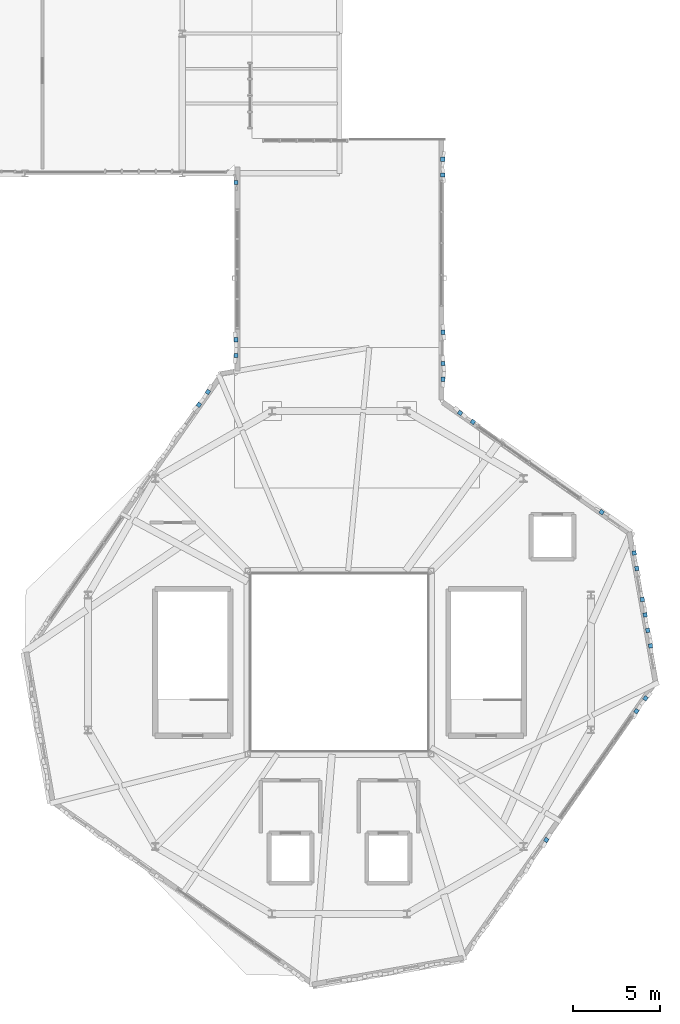
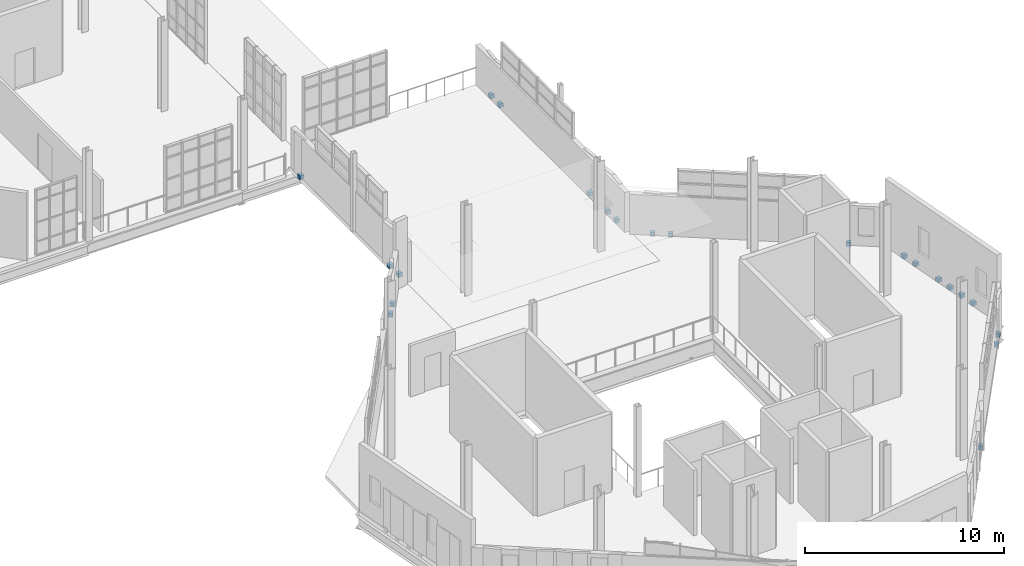
# One storey, part 34 of 36: 22 discrete accessories.
"""IFC4 building model written with IfcOpenShell, lengths in metres."""

import ifcopenshell
import ifcopenshell.guid

model = None  # the IFC model being written
_history = None  # IfcOwnerHistory: only IFC2X3 demands one
_inside = {}  # id of a spatial element -> (the spatial element, [elements in it])
_under = {}  # id of a project, library or spatial element -> (it, [spatial elements below it])
_declared = {}  # id of a project -> (the project, [libraries it declares])
_typed = {}  # id of a type object -> (the type object, [elements of that type])
_made_of = {}  # id of a material, layer set ... -> (it, [elements and type objects made of it])


def new_model(schema):
    """Start an empty IFC model of exactly this schema.

    Asked for "IFC4X3", IfcOpenShell would pick the latest addendum, in which some entities
    have other attributes; the version numbers below select the first issue.
    IFC2X3 requires an IfcOwnerHistory on every rooted entity: one is made here for all.
    """
    global model, _history
    if schema == "IFC4X3":
        model = ifcopenshell.file(schema_version=(4, 3, 0, 0))
    else:
        model = ifcopenshell.file(schema=schema)
    _inside.clear()
    _under.clear()
    _declared.clear()
    _typed.clear()
    _made_of.clear()
    _history = None
    if model.schema == "IFC2X3":
        org = make("IfcOrganization", Name="unknown")
        user = make(
            "IfcPersonAndOrganization",
            ThePerson=make("IfcPerson", FamilyName="unknown"),
            TheOrganization=org,
        )
        app = make(
            "IfcApplication",
            ApplicationDeveloper=org,
            Version="unknown",
            ApplicationFullName="unknown",
            ApplicationIdentifier="unknown",
        )
        _history = make(
            "IfcOwnerHistory",
            OwningUser=user,
            OwningApplication=app,
            ChangeAction="ADDED",
            CreationDate=0,
        )
    return model


def make(cls, **values):
    """One entity of the class cls with the attributes given. An attribute that is None is left unset."""
    return model.create_entity(
        cls, **{name: value for name, value in values.items() if value is not None}
    )


def rooted(cls, **values):
    """An entity with a GlobalId (a new one), such as an element, a storey or a relation."""
    return make(cls, GlobalId=ifcopenshell.guid.new(), OwnerHistory=_history, **values)


def si_unit(unit_type, name, prefix=None):
    """IfcSIUnit, for example si_unit("LENGTHUNIT", "METRE", prefix="MILLI")."""
    return make("IfcSIUnit", UnitType=unit_type, Prefix=prefix, Name=name)


def assignment(units):
    """IfcUnitAssignment: the units of a project."""
    return None if units is None else make("IfcUnitAssignment", Units=units)


def point(xyz):
    """IfcCartesianPoint."""
    return None if xyz is None else make("IfcCartesianPoint", Coordinates=xyz)


def direction(xyz):
    """IfcDirection."""
    return None if xyz is None else make("IfcDirection", DirectionRatios=xyz)


def frame(location, z_axis=None, x_axis=None):
    """IfcAxis2Placement3D, a coordinate frame: its origin and axes. An axis left out is left unset."""
    return make(
        "IfcAxis2Placement3D",
        Location=point(location),
        Axis=direction(z_axis),
        RefDirection=direction(x_axis),
    )


def origin():
    """The frame at (0, 0, 0) with its axes left unset."""
    return frame((0.0, 0.0, 0.0))


def place(relative_to, where):
    """IfcLocalPlacement: puts the frame where relative to a parent placement (None: the world)."""
    return make(
        "IfcLocalPlacement", PlacementRelTo=relative_to, RelativePlacement=where
    )


def context(
    kind, dimensions, precision=None, world=None, true_north=None, identifier=None
):
    """IfcGeometricRepresentationContext, for example the 3D "Model" context."""
    return make(
        "IfcGeometricRepresentationContext",
        ContextIdentifier=identifier,
        ContextType=kind,
        CoordinateSpaceDimension=dimensions,
        Precision=precision,
        WorldCoordinateSystem=world,
        TrueNorth=true_north,
    )


def subcontext(parent, identifier, kind, view, scale=None):
    """IfcGeometricRepresentationSubContext, for example "Body" below "Model"."""
    return make(
        "IfcGeometricRepresentationSubContext",
        ContextIdentifier=identifier,
        ContextType=kind,
        ParentContext=parent,
        TargetScale=scale,
        TargetView=view,
    )


def project(units=None, contexts=None):
    """IfcProject with its units and contexts."""
    return rooted(
        "IfcProject",
        Name="project",
        RepresentationContexts=contexts,
        UnitsInContext=assignment(units),
    )


def spatial(cls, under=None, at=None, **own):
    """A site, building, storey or space (cls), placed at a placement, below another one or the project."""
    s = rooted(cls, ObjectPlacement=at, **own)
    if under is not None:
        _under.setdefault(under.id(), (under, []))[1].append(s)
    return s


def polyline(points):
    """IfcPolyline through the points."""
    return make("IfcPolyline", Points=[point(p) for p in points])


def outline(outer, holes=None, kind="AREA"):
    """IfcArbitraryClosedProfileDef: a profile drawn as a closed curve; with holes, ...WithVoids."""
    if holes is None:
        return make("IfcArbitraryClosedProfileDef", ProfileType=kind, OuterCurve=outer)
    return make(
        "IfcArbitraryProfileDefWithVoids",
        ProfileType=kind,
        OuterCurve=outer,
        InnerCurves=holes,
    )


def extrude(swept, where, along, depth):
    """IfcExtrudedAreaSolid: the profile swept, set in the frame where, extruded along a direction by depth."""
    return make(
        "IfcExtrudedAreaSolid",
        SweptArea=swept,
        Position=where,
        ExtrudedDirection=direction(along),
        Depth=depth,
    )


def shape(context_of_items, identifier, shape_type, items):
    """IfcShapeRepresentation: the items that make up one representation, for example the "Body"."""
    return make(
        "IfcShapeRepresentation",
        ContextOfItems=context_of_items,
        RepresentationIdentifier=identifier,
        RepresentationType=shape_type,
        Items=items,
    )


def material(Name=None, Category=None):
    """IfcMaterial."""
    return make("IfcMaterial", Name=Name, Category=Category)


def made_of(thing, what):
    """Note that an element or type object is made of a material, layer set ...; save() writes the relation."""
    if what is not None:
        _made_of.setdefault(what.id(), (what, []))[1].append(thing)
    return thing


def type_object(cls, material=None, **own):
    """A type object (cls), such as IfcWallType, which elements share."""
    return made_of(rooted(cls, **own), material)


def element(
    cls,
    number,
    at=None,
    inside=None,
    cuts=None,
    type_object=None,
    material=None,
    context=None,
    identifier="Body",
    shape_type=None,
    held_by="IfcProductDefinitionShape",
    body=None,
    shapes=None,
    **own,
):
    """One element of the class cls, such as IfcWall. Its Tag is "e" and its number.

    at: its placement. inside: the storey or other place that contains it. cuts: it is an
    opening in that element (IfcRelVoidsElement). A single representation is given by context,
    identifier, shape_type and body (its items); several are given by shapes. held_by: the class
    of the entity that holds the representations. save() writes the other relations.
    """
    e = rooted(cls, Tag="e%d" % number, ObjectPlacement=at, **own)
    if body is not None:
        shapes = [shape(context, identifier, shape_type, body)]
    if shapes is not None:
        e.Representation = make(held_by, Representations=shapes)
    if inside is not None:
        _inside.setdefault(inside.id(), (inside, []))[1].append(e)
    if cuts is not None:
        rooted(
            "IfcRelVoidsElement", RelatingBuildingElement=cuts, RelatedOpeningElement=e
        )
    if type_object is not None:
        _typed.setdefault(type_object.id(), (type_object, []))[1].append(e)
    return made_of(e, material)


def aggregate(whole, parts):
    """IfcRelAggregates: a whole, such as a stair, and the parts it consists of."""
    return rooted("IfcRelAggregates", RelatingObject=whole, RelatedObjects=parts)


def save(model, path):
    """Write the relations noted so far, then the file.

    IfcRelAggregates (storeys below a building ...), IfcRelContainedInSpatialStructure (elements
    in a storey), IfcRelDefinesByType, IfcRelAssociatesMaterial and IfcRelDeclares: one each for
    every whole, place, type object, material and project.
    """
    for whole, parts in _under.values():
        aggregate(whole, parts)
    for where, things in _inside.values():
        rooted(
            "IfcRelContainedInSpatialStructure",
            RelatedElements=things,
            RelatingStructure=where,
        )
    for kind, things in _typed.values():
        rooted("IfcRelDefinesByType", RelatedObjects=things, RelatingType=kind)
    for what, things in _made_of.values():
        rooted("IfcRelAssociatesMaterial", RelatedObjects=things, RelatingMaterial=what)
    for by, libraries in _declared.values():
        rooted("IfcRelDeclares", RelatingContext=by, RelatedDefinitions=libraries)
    model.write(path)


model = new_model("IFC4")

# Units and contexts
model_context = context("Model", 3, precision=1e-05, world=origin(), true_north=direction((0.0, 1.0)))
body_context = subcontext(model_context, "Body", "Model", "MODEL_VIEW")
ifc_project = project(units=[si_unit("LENGTHUNIT", "METRE"), si_unit("AREAUNIT", "SQUARE_METRE"), si_unit("VOLUMEUNIT", "CUBIC_METRE"), si_unit("PLANEANGLEUNIT", "RADIAN"), si_unit("MASSUNIT", "GRAM", prefix="KILO"), si_unit("THERMODYNAMICTEMPERATUREUNIT", "KELVIN"), si_unit("POWERUNIT", "WATT")], contexts=[model_context])

# Site, building, storey
site_placement = place(None, origin())
site = spatial("IfcSite", under=ifc_project, at=site_placement, CompositionType="ELEMENT")
building_placement = place(site_placement, origin())
building = spatial("IfcBuilding", under=site, at=building_placement, Name="Zelmaris Science Centre", CompositionType="ELEMENT")
storey_placement = place(building_placement, frame((0.0, 0.0, 25.199951171875)))
storey = spatial("IfcBuildingStorey", under=building, at=storey_placement, Name="L05", CompositionType="ELEMENT", Elevation=25.199951171875)

# Discrete accessories
ifc_material = material(Name="Galvanised steel ASTM A500 Grade B", Category="steel")
discrete_accessory_type = type_object("IfcDiscreteAccessoryType", Name="Facade Bracket BK-01", PredefinedType="BRACKET", material=ifc_material)
discrete_accessory_1_placement = place(storey_placement, frame((0.0, 0.0, -0.139892578125)))
element("IfcDiscreteAccessory", 1, at=discrete_accessory_1_placement, inside=storey, type_object=discrete_accessory_type, Name="L05 Facade anchorage bracket 222", PredefinedType="BRACKET", context=body_context, shape_type="SweptSolid", body=[
    extrude(outline(polyline([(86.80029296875, 64.931396484375), (86.800537109375, 64.69140625), (87.031982421875, 64.69140625), (87.031982421875, 64.931396484375), (86.80029296875, 64.931396484375)])), origin(), (0.0, 0.0, 1.0), 0.239990234375),
])
discrete_accessory_2_placement = place(storey_placement, frame((0.0, 0.0, -0.139892578125)))
element("IfcDiscreteAccessory", 2, at=discrete_accessory_2_placement, inside=storey, type_object=discrete_accessory_type, Name="L05 Facade anchorage bracket 223", PredefinedType="BRACKET", context=body_context, shape_type="SweptSolid", body=[
    extrude(outline(polyline([(86.80078125, 64.03125), (86.80078125, 63.791259765625), (87.032470703125, 63.79150390625), (87.032470703125, 64.031494140625), (86.80078125, 64.03125)])), origin(), (0.0, 0.0, 1.0), 0.239990234375),
])
discrete_accessory_3_placement = place(storey_placement, frame((0.0, 0.0, -0.139892578125)))
element("IfcDiscreteAccessory", 3, at=discrete_accessory_3_placement, inside=storey, type_object=discrete_accessory_type, Name="L05 Facade anchorage bracket 224", PredefinedType="BRACKET", context=body_context, shape_type="SweptSolid", body=[
    extrude(outline(polyline([(86.804931640625, 55.03125), (86.804931640625, 54.791259765625), (87.03662109375, 54.79150390625), (87.03662109375, 55.031494140625), (86.804931640625, 55.03125)])), origin(), (0.0, 0.0, 1.0), 0.239990234375),
])
discrete_accessory_4_placement = place(storey_placement, frame((0.0, 0.0, -0.139892578125)))
element("IfcDiscreteAccessory", 4, at=discrete_accessory_4_placement, inside=storey, type_object=discrete_accessory_type, Name="L05 Facade anchorage bracket 225", PredefinedType="BRACKET", context=body_context, shape_type="SweptSolid", body=[
    extrude(outline(polyline([(86.8056640625, 53.231201171875), (86.805908203125, 52.9912109375), (87.037353515625, 52.991455078125), (87.037353515625, 53.2314453125), (86.8056640625, 53.231201171875)])), origin(), (0.0, 0.0, 1.0), 0.239990234375),
])
discrete_accessory_5_placement = place(storey_placement, frame((0.0, 0.0, -0.139892578125)))
element("IfcDiscreteAccessory", 5, at=discrete_accessory_5_placement, inside=storey, type_object=discrete_accessory_type, Name="L05 Facade anchorage bracket 226", PredefinedType="BRACKET", context=body_context, shape_type="SweptSolid", body=[
    extrude(outline(polyline([(86.80615234375, 52.331298828125), (86.806396484375, 52.09130859375), (87.037841796875, 52.09130859375), (87.03759765625, 52.331298828125), (86.80615234375, 52.331298828125)])), origin(), (0.0, 0.0, 1.0), 0.239990234375),
])
discrete_accessory_6_placement = place(storey_placement, frame((0.0, 0.0, -0.139892578125)))
element("IfcDiscreteAccessory", 6, at=discrete_accessory_6_placement, inside=storey, type_object=discrete_accessory_type, Name="L05 Facade anchorage bracket 227", PredefinedType="BRACKET", context=body_context, shape_type="SweptSolid", body=[
    extrude(outline(polyline([(87.73974609375, 50.2646484375), (87.936279296875, 50.126708984375), (88.0693359375, 50.31640625), (87.872802734375, 50.454345703125), (87.73974609375, 50.2646484375)])), origin(), (0.0, 0.0, 1.0), 0.239990234375),
])
discrete_accessory_7_placement = place(storey_placement, frame((0.0, 0.0, -0.139892578125)))
element("IfcDiscreteAccessory", 7, at=discrete_accessory_7_placement, inside=storey, type_object=discrete_accessory_type, Name="L05 Facade anchorage bracket 228", PredefinedType="BRACKET", context=body_context, shape_type="SweptSolid", body=[
    extrude(outline(polyline([(88.476806640625, 49.748046875), (88.67333984375, 49.610107421875), (88.80615234375, 49.7998046875), (88.609619140625, 49.937744140625), (88.476806640625, 49.748046875)])), origin(), (0.0, 0.0, 1.0), 0.239990234375),
])
discrete_accessory_8_placement = place(storey_placement, frame((0.0, 0.0, -0.139892578125)))
element("IfcDiscreteAccessory", 8, at=discrete_accessory_8_placement, inside=storey, type_object=discrete_accessory_type, Name="L05 Facade anchorage bracket 229", PredefinedType="BRACKET", context=body_context, shape_type="SweptSolid", body=[
    extrude(outline(polyline([(95.846435546875, 44.58203125), (96.04296875, 44.444091796875), (96.17578125, 44.6337890625), (95.9794921875, 44.771484375), (95.846435546875, 44.58203125)])), origin(), (0.0, 0.0, 1.0), 0.239990234375),
])
discrete_accessory_9_placement = place(storey_placement, frame((0.0, 0.0, -0.139892578125)))
element("IfcDiscreteAccessory", 9, at=discrete_accessory_9_placement, inside=storey, type_object=discrete_accessory_type, Name="L05 Facade anchorage bracket 230", PredefinedType="BRACKET", context=body_context, shape_type="SweptSolid", body=[
    extrude(outline(polyline([(97.739013671875, 42.365234375), (97.78076171875, 42.12890625), (98.0087890625, 42.169189453125), (97.96728515625, 42.405517578125), (97.739013671875, 42.365234375)])), origin(), (0.0, 0.0, 1.0), 0.239990234375),
])
discrete_accessory_10_placement = place(storey_placement, frame((0.0, 0.0, -0.139892578125)))
element("IfcDiscreteAccessory", 10, at=discrete_accessory_10_placement, inside=storey, type_object=discrete_accessory_type, Name="L05 Facade anchorage bracket 231", PredefinedType="BRACKET", context=body_context, shape_type="SweptSolid", body=[
    extrude(outline(polyline([(97.8955078125, 41.47900390625), (97.93701171875, 41.24267578125), (98.165283203125, 41.28271484375), (98.12353515625, 41.51904296875), (97.8955078125, 41.47900390625)])), origin(), (0.0, 0.0, 1.0), 0.239990234375),
])
discrete_accessory_11_placement = place(storey_placement, frame((0.0, 0.0, -0.139892578125)))
element("IfcDiscreteAccessory", 11, at=discrete_accessory_11_placement, inside=storey, type_object=discrete_accessory_type, Name="L05 Facade anchorage bracket 232", PredefinedType="BRACKET", context=body_context, shape_type="SweptSolid", body=[
    extrude(outline(polyline([(98.2080078125, 39.706298828125), (98.249755859375, 39.469970703125), (98.477783203125, 39.510009765625), (98.43603515625, 39.74658203125), (98.2080078125, 39.706298828125)])), origin(), (0.0, 0.0, 1.0), 0.239990234375),
])
discrete_accessory_12_placement = place(storey_placement, frame((0.0, 0.0, -0.139892578125)))
element("IfcDiscreteAccessory", 12, at=discrete_accessory_12_placement, inside=storey, type_object=discrete_accessory_type, Name="L05 Facade anchorage bracket 233", PredefinedType="BRACKET", context=body_context, shape_type="SweptSolid", body=[
    extrude(outline(polyline([(98.3642578125, 38.81982421875), (98.406005859375, 38.58349609375), (98.634033203125, 38.623779296875), (98.59228515625, 38.860107421875), (98.3642578125, 38.81982421875)])), origin(), (0.0, 0.0, 1.0), 0.239990234375),
])
discrete_accessory_13_placement = place(storey_placement, frame((0.0, 0.0, -0.139892578125)))
element("IfcDiscreteAccessory", 13, at=discrete_accessory_13_placement, inside=storey, type_object=discrete_accessory_type, Name="L05 Facade anchorage bracket 234", PredefinedType="BRACKET", context=body_context, shape_type="SweptSolid", body=[
    extrude(outline(polyline([(98.5205078125, 37.93359375), (98.562255859375, 37.697265625), (98.790283203125, 37.737548828125), (98.74853515625, 37.973876953125), (98.5205078125, 37.93359375)])), origin(), (0.0, 0.0, 1.0), 0.239990234375),
])
discrete_accessory_14_placement = place(storey_placement, frame((0.0, 0.0, -0.139892578125)))
element("IfcDiscreteAccessory", 14, at=discrete_accessory_14_placement, inside=storey, type_object=discrete_accessory_type, Name="L05 Facade anchorage bracket 235", PredefinedType="BRACKET", context=body_context, shape_type="SweptSolid", body=[
    extrude(outline(polyline([(98.6767578125, 37.04736328125), (98.718505859375, 36.810791015625), (98.946533203125, 36.851318359375), (98.90478515625, 37.08740234375), (98.6767578125, 37.04736328125)])), origin(), (0.0, 0.0, 1.0), 0.239990234375),
])
discrete_accessory_15_placement = place(storey_placement, frame((0.0, 0.0, -0.139892578125)))
element("IfcDiscreteAccessory", 15, at=discrete_accessory_15_placement, inside=storey, type_object=discrete_accessory_type, Name="L05 Facade anchorage bracket 236", PredefinedType="BRACKET", context=body_context, shape_type="SweptSolid", body=[
    extrude(outline(polyline([(98.49609375, 34.11279296875), (98.358642578125, 33.916259765625), (98.54833984375, 33.783203125), (98.68603515625, 33.97998046875), (98.49609375, 34.11279296875)])), origin(), (0.0, 0.0, 1.0), 0.239990234375),
])
discrete_accessory_16_placement = place(storey_placement, frame((0.0, 0.0, -0.139892578125)))
element("IfcDiscreteAccessory", 16, at=discrete_accessory_16_placement, inside=storey, type_object=discrete_accessory_type, Name="L05 Facade anchorage bracket 237", PredefinedType="BRACKET", context=body_context, shape_type="SweptSolid", body=[
    extrude(outline(polyline([(97.97998046875, 33.37548828125), (97.84228515625, 33.178955078125), (98.031982421875, 33.046142578125), (98.169677734375, 33.24267578125), (97.97998046875, 33.37548828125)])), origin(), (0.0, 0.0, 1.0), 0.239990234375),
])
discrete_accessory_17_placement = place(storey_placement, frame((0.0, 0.0, -0.139892578125)))
element("IfcDiscreteAccessory", 17, at=discrete_accessory_17_placement, inside=storey, type_object=discrete_accessory_type, Name="L05 Facade anchorage bracket 238", PredefinedType="BRACKET", context=body_context, shape_type="SweptSolid", body=[
    extrude(outline(polyline([(92.81787109375, 26.003173828125), (92.68017578125, 25.806640625), (92.869873046875, 25.673583984375), (93.007568359375, 25.870361328125), (92.81787109375, 26.003173828125)])), origin(), (0.0, 0.0, 1.0), 0.239990234375),
])
discrete_accessory_18_placement = place(storey_placement, frame((0.0, 0.0, -0.139892578125)))
element("IfcDiscreteAccessory", 18, at=discrete_accessory_18_placement, inside=storey, type_object=discrete_accessory_type, Name="L05 Facade anchorage bracket 272", PredefinedType="BRACKET", context=body_context, shape_type="SweptSolid", body=[
    extrude(outline(polyline([(72.980712890625, 50.586181640625), (73.118408203125, 50.782958984375), (72.9287109375, 50.915771484375), (72.791015625, 50.71923828125), (72.980712890625, 50.586181640625)])), origin(), (0.0, 0.0, 1.0), 0.239990234375),
])
discrete_accessory_19_placement = place(storey_placement, frame((0.0, 0.0, -0.139892578125)))
element("IfcDiscreteAccessory", 19, at=discrete_accessory_19_placement, inside=storey, type_object=discrete_accessory_type, Name="L05 Facade anchorage bracket 273", PredefinedType="BRACKET", context=body_context, shape_type="SweptSolid", body=[
    extrude(outline(polyline([(73.496826171875, 51.323486328125), (73.634521484375, 51.520263671875), (73.44482421875, 51.653076171875), (73.30712890625, 51.456298828125), (73.496826171875, 51.323486328125)])), origin(), (0.0, 0.0, 1.0), 0.239990234375),
])
discrete_accessory_20_placement = place(storey_placement, frame((0.0, 0.0, -0.139892578125)))
element("IfcDiscreteAccessory", 20, at=discrete_accessory_20_placement, inside=storey, type_object=discrete_accessory_type, Name="L05 Facade anchorage bracket 274", PredefinedType="BRACKET", context=body_context, shape_type="SweptSolid", body=[
    extrude(outline(polyline([(75.195556640625, 53.455322265625), (75.19580078125, 53.6953125), (74.964111328125, 53.6953125), (74.964111328125, 53.455322265625), (75.195556640625, 53.455322265625)])), origin(), (0.0, 0.0, 1.0), 0.239990234375),
])
discrete_accessory_21_placement = place(storey_placement, frame((0.0, 0.0, -0.139892578125)))
element("IfcDiscreteAccessory", 21, at=discrete_accessory_21_placement, inside=storey, type_object=discrete_accessory_type, Name="L05 Facade anchorage bracket 275", PredefinedType="BRACKET", context=body_context, shape_type="SweptSolid", body=[
    extrude(outline(polyline([(75.19580078125, 54.355224609375), (75.196044921875, 54.59521484375), (74.96435546875, 54.595458984375), (74.96435546875, 54.35546875), (75.19580078125, 54.355224609375)])), origin(), (0.0, 0.0, 1.0), 0.239990234375),
])
discrete_accessory_22_placement = place(storey_placement, frame((0.0, 0.0, -0.139892578125)))
element("IfcDiscreteAccessory", 22, at=discrete_accessory_22_placement, inside=storey, type_object=discrete_accessory_type, Name="L05 Facade anchorage bracket 276", PredefinedType="BRACKET", context=body_context, shape_type="SweptSolid", body=[
    extrude(outline(polyline([(75.19921875, 63.355224609375), (75.199462890625, 63.59521484375), (74.9677734375, 63.595458984375), (74.9677734375, 63.35546875), (75.19921875, 63.355224609375)])), origin(), (0.0, 0.0, 1.0), 0.239990234375),
])

save(model, "model.ifc")
